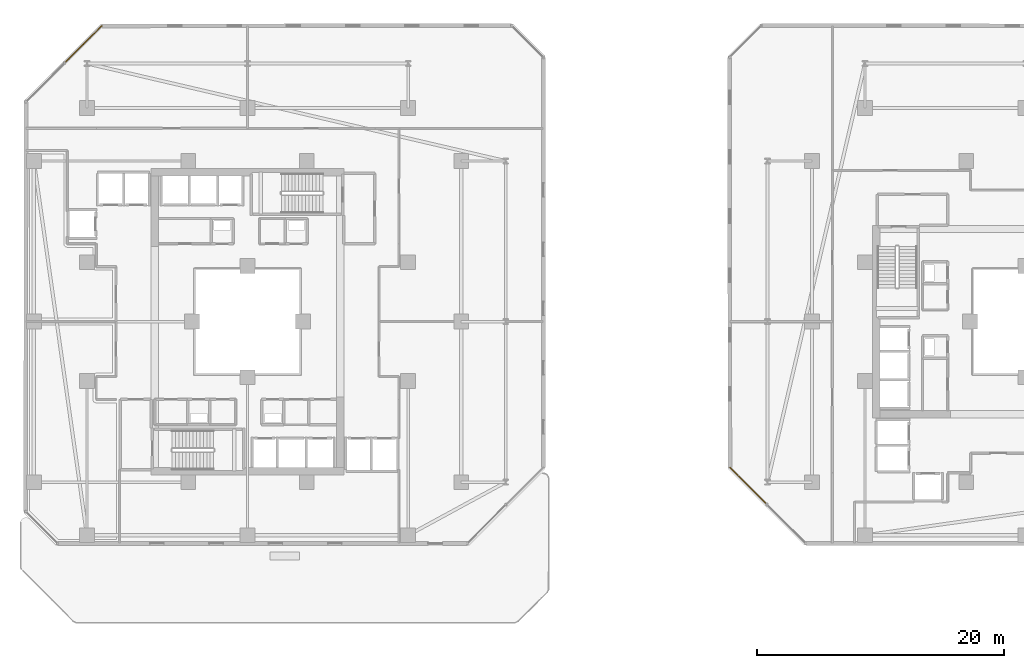
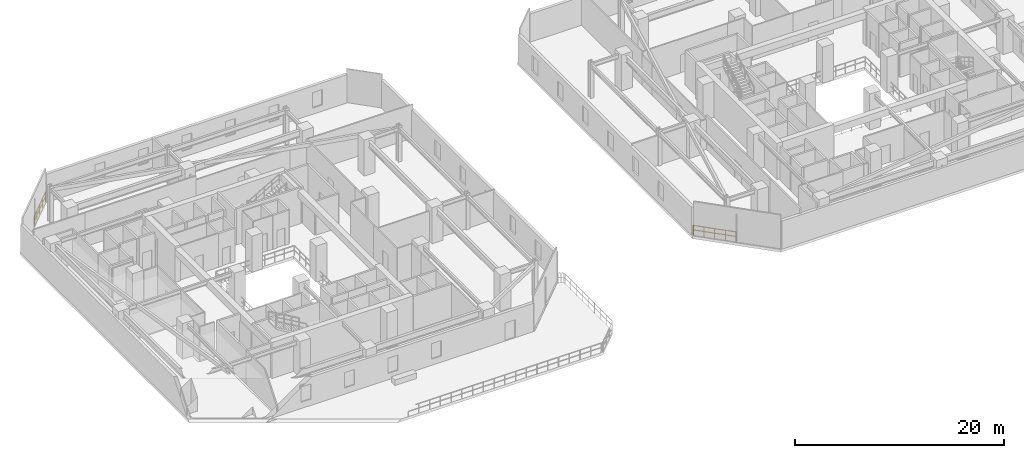
# One storey, part 27 of 30: 2 railings.
"""IFC4 building model written with IfcOpenShell, lengths in metres."""

from ifc_helpers import new_model, si_unit, direction, frame, origin, origin_2d, place, context, subcontext, project, spatial, rectangle, extrude, material, type_object, element, save


model = new_model("IFC4")

# Units and contexts
model_context = context("Model", 3, precision=1e-05, world=origin(), true_north=direction((0.0, 1.0)))
body_context = subcontext(model_context, "Body", "Model", "MODEL_VIEW")
ifc_project = project(units=[si_unit("LENGTHUNIT", "METRE"), si_unit("AREAUNIT", "SQUARE_METRE"), si_unit("VOLUMEUNIT", "CUBIC_METRE"), si_unit("PLANEANGLEUNIT", "RADIAN"), si_unit("MASSUNIT", "GRAM", prefix="KILO")], contexts=[model_context])

# Site, building, storey
site_placement = place(None, origin())
site = spatial("IfcSite", under=ifc_project, at=site_placement, CompositionType="ELEMENT")
building_placement = place(site_placement, origin())
building = spatial("IfcBuilding", under=site, at=building_placement, Name="Thornwick Lancets Civic Towers", CompositionType="ELEMENT")
storey_placement = place(building_placement, frame((0.0, 0.0, 75.89990234375)))
storey = spatial("IfcBuildingStorey", under=building, at=storey_placement, Name="L19", CompositionType="ELEMENT", Elevation=75.89990234375)

# Railings
ifc_material = material(Name="Terracotta-capped laminated glass balustrade S355", Category="masonry")
railing_type = type_object("IfcRailingType", Name="RAIL_TERR_GUARD", PredefinedType="GUARDRAIL", material=ifc_material)
railing_1_placement = place(storey_placement, frame((13.703857421875, 50.952880859375, 0.0)))
element("IfcRailing", 1, at=railing_1_placement, inside=storey, type_object=railing_type, Name="L19 Tower A Chamfer Spandrel Guard E5-1", PredefinedType="GUARDRAIL", context=body_context, shape_type="SweptSolid", body=[
    extrude(rectangle(XDim=0.048095703125, YDim=0.048095703125, at=origin_2d()), frame((0.0, 0.0, 1.1259765625), z_axis=(-0.707135435093, -0.707078126119, 0.0), x_axis=(0.707078126119, -0.707135435093, 0.0)), (0.0, 0.0, 1.0), 4.260009765625),
    extrude(rectangle(XDim=0.0419921875, YDim=0.0419921875, at=origin_2d()), frame((-0.026611328125, -0.026611328125, 0.597900390625), z_axis=(-0.707135435093, -0.707078126119, 0.0), x_axis=(0.707078126119, -0.707135435093, 0.0)), (0.0, 0.0, 1.0), 0.989990234375),
    extrude(rectangle(XDim=0.0419921875, YDim=0.0419921875, at=origin_2d()), frame((-0.779541015625, -0.779541015625, 0.597900390625), z_axis=(-0.707135435093, -0.707078126119, 0.0), x_axis=(0.707078126119, -0.707135435093, 0.0)), (0.0, 0.0, 1.0), 0.989990234375),
    extrude(rectangle(XDim=0.0419921875, YDim=0.0419921875, at=origin_2d()), frame((-1.53271484375, -1.53271484375, 0.597900390625), z_axis=(-0.707135435093, -0.707078126119, 0.0), x_axis=(0.707078126119, -0.707135435093, 0.0)), (0.0, 0.0, 1.0), 0.989990234375),
    extrude(rectangle(XDim=0.0419921875, YDim=0.0419921875, at=origin_2d()), frame((-2.285888671875, -2.28564453125, 0.597900390625), z_axis=(-0.707135435093, -0.707078126119, 0.0), x_axis=(0.707078126119, -0.707135435093, 0.0)), (0.0, 0.0, 1.0), 0.989990234375),
    extrude(rectangle(XDim=0.0419921875, YDim=0.0419921875, at=origin_2d()), origin(), (0.0, 0.0, 1.0), 1.095703125),
    extrude(rectangle(XDim=0.0419921875, YDim=0.0419921875, at=origin_2d()), frame((-0.753173828125, -0.7529296875, 0.0)), (0.0, 0.0, 1.0), 1.095703125),
    extrude(rectangle(XDim=0.0419921875, YDim=0.0419921875, at=origin_2d()), frame((-1.50634765625, -1.506103515625, 0.0)), (0.0, 0.0, 1.0), 1.095703125),
    extrude(rectangle(XDim=0.0419921875, YDim=0.0419921875, at=origin_2d()), frame((-2.25927734375, -2.25927734375, 0.0)), (0.0, 0.0, 1.0), 1.095703125),
    extrude(rectangle(XDim=0.0419921875, YDim=0.0419921875, at=origin_2d()), frame((-3.012451171875, -3.01220703125, 0.0)), (0.0, 0.0, 1.0), 1.095703125),
])
railing_2_placement = place(storey_placement, frame((64.547119140625, 15.203857421875, 0.0)))
element("IfcRailing", 2, at=railing_2_placement, inside=storey, type_object=railing_type, Name="L19 Tower B Chamfer Spandrel Guard E7-1", PredefinedType="GUARDRAIL", context=body_context, shape_type="SweptSolid", body=[
    extrude(rectangle(XDim=0.048095703125, YDim=0.048095703125, at=origin_2d()), frame((0.0, 0.0, 1.1259765625), z_axis=(0.707078126119, -0.707135435093, 0.0), x_axis=(0.707135435093, 0.707078126119, 0.0)), (0.0, 0.0, 1.0), 4.260009765625),
    extrude(rectangle(XDim=0.0419921875, YDim=0.0419921875, at=origin_2d()), frame((0.026611328125, -0.026611328125, 0.597900390625), z_axis=(0.707078126119, -0.707135435093, 0.0), x_axis=(0.707135435093, 0.707078126119, 0.0)), (0.0, 0.0, 1.0), 0.989990234375),
    extrude(rectangle(XDim=0.0419921875, YDim=0.0419921875, at=origin_2d()), frame((0.779541015625, -0.779541015625, 0.597900390625), z_axis=(0.707078126119, -0.707135435093, 0.0), x_axis=(0.707135435093, 0.707078126119, 0.0)), (0.0, 0.0, 1.0), 0.989990234375),
    extrude(rectangle(XDim=0.0419921875, YDim=0.0419921875, at=origin_2d()), frame((1.53271484375, -1.53271484375, 0.597900390625), z_axis=(0.707078126119, -0.707135435093, 0.0), x_axis=(0.707135435093, 0.707078126119, 0.0)), (0.0, 0.0, 1.0), 0.989990234375),
    extrude(rectangle(XDim=0.0419921875, YDim=0.0419921875, at=origin_2d()), frame((2.28564453125, -2.285888671875, 0.597900390625), z_axis=(0.707078126119, -0.707135435093, 0.0), x_axis=(0.707135435093, 0.707078126119, 0.0)), (0.0, 0.0, 1.0), 0.989990234375),
    extrude(rectangle(XDim=0.0419921875, YDim=0.0419921875, at=origin_2d()), origin(), (0.0, 0.0, 1.0), 1.095703125),
    extrude(rectangle(XDim=0.0419921875, YDim=0.0419921875, at=origin_2d()), frame((0.7529296875, -0.753173828125, 0.0)), (0.0, 0.0, 1.0), 1.095703125),
    extrude(rectangle(XDim=0.0419921875, YDim=0.0419921875, at=origin_2d()), frame((1.506103515625, -1.50634765625, 0.0)), (0.0, 0.0, 1.0), 1.095703125),
    extrude(rectangle(XDim=0.0419921875, YDim=0.0419921875, at=origin_2d()), frame((2.25927734375, -2.25927734375, 0.0)), (0.0, 0.0, 1.0), 1.095703125),
    extrude(rectangle(XDim=0.0419921875, YDim=0.0419921875, at=origin_2d()), frame((3.01220703125, -3.012451171875, 0.0)), (0.0, 0.0, 1.0), 1.095703125),
])

save(model, "model.ifc")
